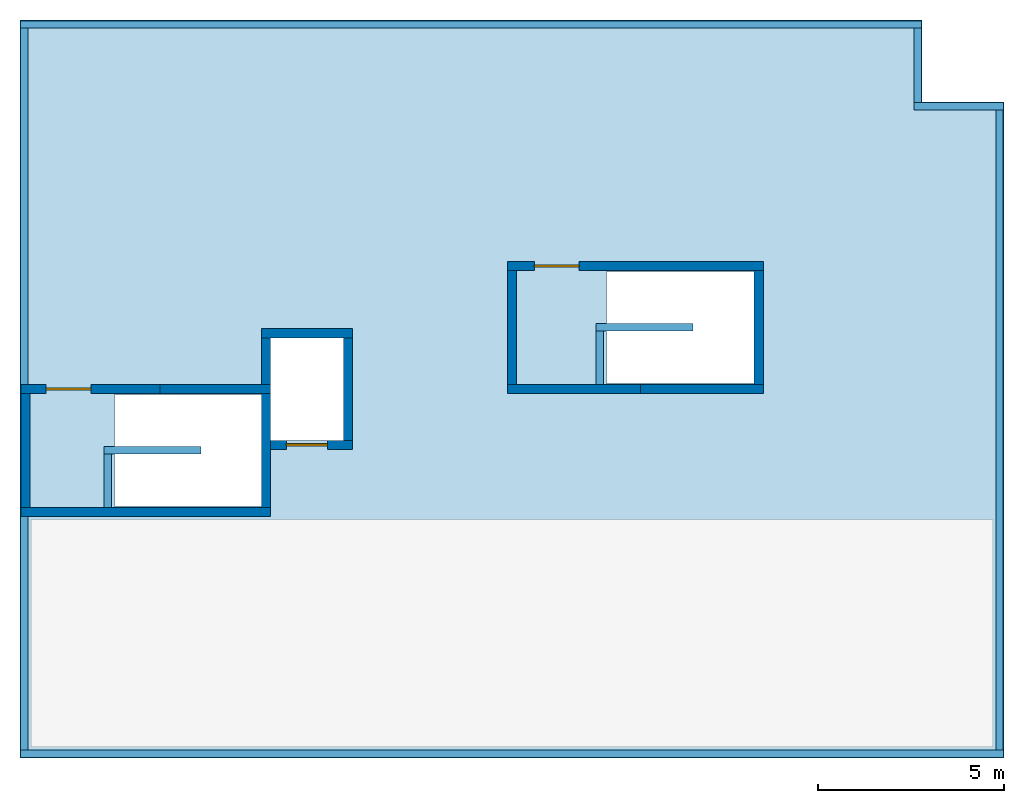
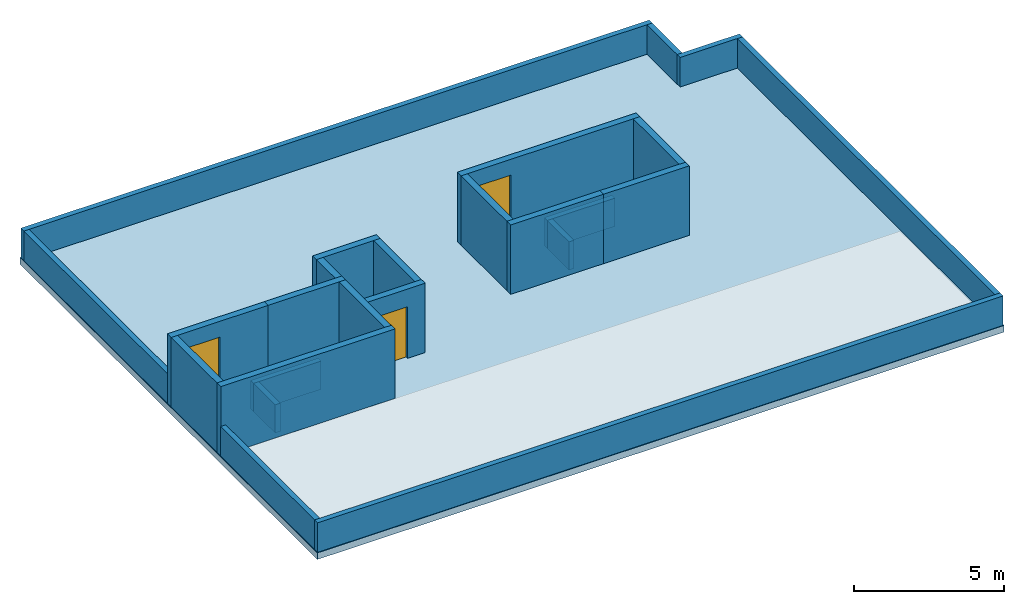
# One storey, part 1 of 2: 25 walls, 3 doors, 1 slab, 3 openings.
"""IFC4 building model written with IfcOpenShell, lengths in metres."""

import ifcopenshell
import ifcopenshell.guid

model = None  # the IFC model being written
_history = None  # IfcOwnerHistory: only IFC2X3 demands one
_inside = {}  # id of a spatial element -> (the spatial element, [elements in it])
_under = {}  # id of a project, library or spatial element -> (it, [spatial elements below it])
_declared = {}  # id of a project -> (the project, [libraries it declares])
_typed = {}  # id of a type object -> (the type object, [elements of that type])
_made_of = {}  # id of a material, layer set ... -> (it, [elements and type objects made of it])


def new_model(schema):
    """Start an empty IFC model of exactly this schema.

    Asked for "IFC4X3", IfcOpenShell would pick the latest addendum, in which some entities
    have other attributes; the version numbers below select the first issue.
    IFC2X3 requires an IfcOwnerHistory on every rooted entity: one is made here for all.
    """
    global model, _history
    if schema == "IFC4X3":
        model = ifcopenshell.file(schema_version=(4, 3, 0, 0))
    else:
        model = ifcopenshell.file(schema=schema)
    _inside.clear()
    _under.clear()
    _declared.clear()
    _typed.clear()
    _made_of.clear()
    _history = None
    if model.schema == "IFC2X3":
        org = make("IfcOrganization", Name="unknown")
        user = make(
            "IfcPersonAndOrganization",
            ThePerson=make("IfcPerson", FamilyName="unknown"),
            TheOrganization=org,
        )
        app = make(
            "IfcApplication",
            ApplicationDeveloper=org,
            Version="unknown",
            ApplicationFullName="unknown",
            ApplicationIdentifier="unknown",
        )
        _history = make(
            "IfcOwnerHistory",
            OwningUser=user,
            OwningApplication=app,
            ChangeAction="ADDED",
            CreationDate=0,
        )
    return model


def make(cls, **values):
    """One entity of the class cls with the attributes given. An attribute that is None is left unset."""
    return model.create_entity(
        cls, **{name: value for name, value in values.items() if value is not None}
    )


def rooted(cls, **values):
    """An entity with a GlobalId (a new one), such as an element, a storey or a relation."""
    return make(cls, GlobalId=ifcopenshell.guid.new(), OwnerHistory=_history, **values)


def si_unit(unit_type, name, prefix=None):
    """IfcSIUnit, for example si_unit("LENGTHUNIT", "METRE", prefix="MILLI")."""
    return make("IfcSIUnit", UnitType=unit_type, Prefix=prefix, Name=name)


def assignment(units):
    """IfcUnitAssignment: the units of a project."""
    return None if units is None else make("IfcUnitAssignment", Units=units)


def point(xyz):
    """IfcCartesianPoint."""
    return None if xyz is None else make("IfcCartesianPoint", Coordinates=xyz)


def direction(xyz):
    """IfcDirection."""
    return None if xyz is None else make("IfcDirection", DirectionRatios=xyz)


def frame(location, z_axis=None, x_axis=None):
    """IfcAxis2Placement3D, a coordinate frame: its origin and axes. An axis left out is left unset."""
    return make(
        "IfcAxis2Placement3D",
        Location=point(location),
        Axis=direction(z_axis),
        RefDirection=direction(x_axis),
    )


def frame_2d(location, x_axis=None):
    """IfcAxis2Placement2D, a coordinate frame in the plane: its origin and x axis."""
    return make(
        "IfcAxis2Placement2D", Location=point(location), RefDirection=direction(x_axis)
    )


def origin():
    """The frame at (0, 0, 0) with its axes left unset."""
    return frame((0.0, 0.0, 0.0))


def place(relative_to, where):
    """IfcLocalPlacement: puts the frame where relative to a parent placement (None: the world)."""
    return make(
        "IfcLocalPlacement", PlacementRelTo=relative_to, RelativePlacement=where
    )


def context(
    kind, dimensions, precision=None, world=None, true_north=None, identifier=None
):
    """IfcGeometricRepresentationContext, for example the 3D "Model" context."""
    return make(
        "IfcGeometricRepresentationContext",
        ContextIdentifier=identifier,
        ContextType=kind,
        CoordinateSpaceDimension=dimensions,
        Precision=precision,
        WorldCoordinateSystem=world,
        TrueNorth=true_north,
    )


def subcontext(parent, identifier, kind, view, scale=None):
    """IfcGeometricRepresentationSubContext, for example "Body" below "Model"."""
    return make(
        "IfcGeometricRepresentationSubContext",
        ContextIdentifier=identifier,
        ContextType=kind,
        ParentContext=parent,
        TargetScale=scale,
        TargetView=view,
    )


def project(units=None, contexts=None):
    """IfcProject with its units and contexts."""
    return rooted(
        "IfcProject",
        Name="project",
        RepresentationContexts=contexts,
        UnitsInContext=assignment(units),
    )


def spatial(cls, under=None, at=None, **own):
    """A site, building, storey or space (cls), placed at a placement, below another one or the project."""
    s = rooted(cls, ObjectPlacement=at, **own)
    if under is not None:
        _under.setdefault(under.id(), (under, []))[1].append(s)
    return s


def polyline(points):
    """IfcPolyline through the points."""
    return make("IfcPolyline", Points=[point(p) for p in points])


def profile(cls, at=None, kind="AREA", **sizes):
    """A parametric profile (cls). Its sizes go by their IFC names, for example OverallWidth=200.0."""
    return make(cls, ProfileType=kind, Position=at, **sizes)


def rectangle(**sizes):
    """IfcRectangleProfileDef."""
    return profile("IfcRectangleProfileDef", **sizes)


def outline(outer, holes=None, kind="AREA"):
    """IfcArbitraryClosedProfileDef: a profile drawn as a closed curve; with holes, ...WithVoids."""
    if holes is None:
        return make("IfcArbitraryClosedProfileDef", ProfileType=kind, OuterCurve=outer)
    return make(
        "IfcArbitraryProfileDefWithVoids",
        ProfileType=kind,
        OuterCurve=outer,
        InnerCurves=holes,
    )


def extrude(swept, where, along, depth):
    """IfcExtrudedAreaSolid: the profile swept, set in the frame where, extruded along a direction by depth."""
    return make(
        "IfcExtrudedAreaSolid",
        SweptArea=swept,
        Position=where,
        ExtrudedDirection=direction(along),
        Depth=depth,
    )


def shape(context_of_items, identifier, shape_type, items):
    """IfcShapeRepresentation: the items that make up one representation, for example the "Body"."""
    return make(
        "IfcShapeRepresentation",
        ContextOfItems=context_of_items,
        RepresentationIdentifier=identifier,
        RepresentationType=shape_type,
        Items=items,
    )


def material(Name=None, Category=None):
    """IfcMaterial."""
    return make("IfcMaterial", Name=Name, Category=Category)


def layer(
    of_material, thickness, ventilated=None, Name=None, Category=None, Priority=None
):
    """IfcMaterialLayer: one layer of a wall or slab, of a material (None: an air gap)."""
    return make(
        "IfcMaterialLayer",
        Material=of_material,
        LayerThickness=thickness,
        IsVentilated=ventilated,
        Name=Name,
        Category=Category,
        Priority=Priority,
    )


def layer_set(layers, Name=None):
    """IfcMaterialLayerSet."""
    return make("IfcMaterialLayerSet", MaterialLayers=layers, LayerSetName=Name)


def made_of(thing, what):
    """Note that an element or type object is made of a material, layer set ...; save() writes the relation."""
    if what is not None:
        _made_of.setdefault(what.id(), (what, []))[1].append(thing)
    return thing


def type_object(cls, material=None, **own):
    """A type object (cls), such as IfcWallType, which elements share."""
    return made_of(rooted(cls, **own), material)


def element(
    cls,
    number,
    at=None,
    inside=None,
    cuts=None,
    type_object=None,
    material=None,
    context=None,
    identifier="Body",
    shape_type=None,
    held_by="IfcProductDefinitionShape",
    body=None,
    shapes=None,
    **own,
):
    """One element of the class cls, such as IfcWall. Its Tag is "e" and its number.

    at: its placement. inside: the storey or other place that contains it. cuts: it is an
    opening in that element (IfcRelVoidsElement). A single representation is given by context,
    identifier, shape_type and body (its items); several are given by shapes. held_by: the class
    of the entity that holds the representations. save() writes the other relations.
    """
    e = rooted(cls, Tag="e%d" % number, ObjectPlacement=at, **own)
    if body is not None:
        shapes = [shape(context, identifier, shape_type, body)]
    if shapes is not None:
        e.Representation = make(held_by, Representations=shapes)
    if inside is not None:
        _inside.setdefault(inside.id(), (inside, []))[1].append(e)
    if cuts is not None:
        rooted(
            "IfcRelVoidsElement", RelatingBuildingElement=cuts, RelatedOpeningElement=e
        )
    if type_object is not None:
        _typed.setdefault(type_object.id(), (type_object, []))[1].append(e)
    return made_of(e, material)


def fill(opening, filler):
    """IfcRelFillsElement: the door or window that sits in an opening."""
    return rooted(
        "IfcRelFillsElement",
        RelatingOpeningElement=opening,
        RelatedBuildingElement=filler,
    )


def aggregate(whole, parts):
    """IfcRelAggregates: a whole, such as a stair, and the parts it consists of."""
    return rooted("IfcRelAggregates", RelatingObject=whole, RelatedObjects=parts)


def save(model, path):
    """Write the relations noted so far, then the file.

    IfcRelAggregates (storeys below a building ...), IfcRelContainedInSpatialStructure (elements
    in a storey), IfcRelDefinesByType, IfcRelAssociatesMaterial and IfcRelDeclares: one each for
    every whole, place, type object, material and project.
    """
    for whole, parts in _under.values():
        aggregate(whole, parts)
    for where, things in _inside.values():
        rooted(
            "IfcRelContainedInSpatialStructure",
            RelatedElements=things,
            RelatingStructure=where,
        )
    for kind, things in _typed.values():
        rooted("IfcRelDefinesByType", RelatedObjects=things, RelatingType=kind)
    for what, things in _made_of.values():
        rooted("IfcRelAssociatesMaterial", RelatedObjects=things, RelatingMaterial=what)
    for by, libraries in _declared.values():
        rooted("IfcRelDeclares", RelatingContext=by, RelatedDefinitions=libraries)
    model.write(path)


model = new_model("IFC4")

# Units and contexts
model_context = context("Model", 3, precision=1e-05, world=origin(), true_north=direction((0.0, 1.0)))
body_context = subcontext(model_context, "Body", "Model", "MODEL_VIEW")
ifc_project = project(units=[si_unit("LENGTHUNIT", "METRE"), si_unit("AREAUNIT", "SQUARE_METRE"), si_unit("VOLUMEUNIT", "CUBIC_METRE"), si_unit("PLANEANGLEUNIT", "RADIAN"), si_unit("MASSUNIT", "GRAM", prefix="KILO")], contexts=[model_context])

# Site, building, storey
site_placement = place(None, origin())
site = spatial("IfcSite", under=ifc_project, at=site_placement, CompositionType="ELEMENT")
building_placement = place(site_placement, origin())
building = spatial("IfcBuilding", under=site, at=building_placement, Name="Kernevlak Ridge Housing Community", CompositionType="ELEMENT")
storey_placement = place(building_placement, frame((0.0, 0.0, 59.60009765625)))
storey = spatial("IfcBuildingStorey", under=building, at=storey_placement, Name="RF", CompositionType="ELEMENT", Elevation=59.60009765625)

# Slab
ifc_material_1 = material(Name="Concrete C35/45", Category="concrete")
ifc_layer_1 = layer(ifc_material_1, 0.27001953125, Name="Concrete C35/45")
ifc_layer_set_1 = layer_set([ifc_layer_1], Name="Concrete C35/45")
slab_type = type_object("IfcSlabType", Name="SL-18", PredefinedType="ROOF", material=ifc_layer_set_1)
slab_placement = place(storey_placement, frame((0.0, 0.0, -0.27001953125)))
element("IfcSlab", 1, at=slab_placement, inside=storey, type_object=slab_type, Name="Block A main flat roof slab", PredefinedType="ROOF", context=body_context, shape_type="SweptSolid", body=[
    extrude(outline(polyline([(15.60009765625, 76.0), (42.0, 76.0), (42.0, 93.60009765625), (39.800048828125, 93.60009765625), (39.800048828125, 95.800048828125), (15.60009765625, 95.800048828125), (15.60009765625, 76.0)]), holes=[polyline([(18.139892578125, 85.75), (22.1201171875, 85.75), (22.1201171875, 82.75), (18.139892578125, 82.75), (18.139892578125, 85.75)]), polyline([(31.340087890625, 89.050048828125), (35.320068359375, 89.050048828125), (35.320068359375, 86.050048828125), (31.340087890625, 86.050048828125), (31.340087890625, 89.050048828125)]), polyline([(22.320068359375, 87.280029296875), (24.280029296875, 87.280029296875), (24.280029296875, 84.52001953125), (22.320068359375, 84.52001953125), (22.320068359375, 87.280029296875)])]), origin(), (0.0, 0.0, 1.0), 0.27001953125),
])

# Walls
ifc_layer_2 = layer(ifc_material_1, 0.199951171875, Name="Concrete C35/45")
ifc_layer_set_2 = layer_set([ifc_layer_2], Name="Concrete C35/45")
wall_type_1 = type_object("IfcWallType", Name="PR-01", PredefinedType="PARAPET", material=ifc_layer_set_2)
wall_1_placement = place(storey_placement, frame((15.6201171875, 76.1201171875, 0.0), z_axis=(0.0, 0.0, 1.0), x_axis=(1.0, 0.0, 0.0)))
element("IfcWall", 2, at=wall_1_placement, inside=storey, type_object=wall_type_1, Name="Block A roof parapet wall 1", PredefinedType="PARAPET", context=body_context, shape_type="SweptSolid", body=[
    extrude(rectangle(XDim=26.35986328125, YDim=0.199951171875, at=frame_2d((13.179931640625, 0.0))), origin(), (0.0, 0.0, 1.0), 1.199951171875),
])
wall_2_placement = place(storey_placement, frame((41.8798828125, 76.219970703125, 0.0), z_axis=(0.0, 0.0, 1.0), x_axis=(0.0, 1.0, 0.0)))
element("IfcWall", 3, at=wall_2_placement, inside=storey, type_object=wall_type_1, Name="Block A roof parapet wall 2", PredefinedType="PARAPET", context=body_context, shape_type="SweptSolid", body=[
    extrude(rectangle(XDim=17.159912109375, YDim=0.199951171875, at=frame_2d((8.580078125, 0.0))), origin(), (0.0, 0.0, 1.0), 1.199951171875),
])
wall_3_placement = place(storey_placement, frame((41.97998046875, 93.47998046875, 0.0), z_axis=(0.0, 0.0, 1.0), x_axis=(-1.0, 0.0, 0.0)))
element("IfcWall", 4, at=wall_3_placement, inside=storey, type_object=wall_type_1, Name="Block A roof parapet wall 3", PredefinedType="PARAPET", context=body_context, shape_type="SweptSolid", body=[
    extrude(rectangle(XDim=2.39990234375, YDim=0.199951171875, at=frame_2d((1.199951171875, 0.0))), origin(), (0.0, 0.0, 1.0), 1.199951171875),
])
wall_4_placement = place(storey_placement, frame((39.679931640625, 93.580078125, 0.0), z_axis=(0.0, 0.0, 1.0), x_axis=(0.0, 1.0, 0.0)))
element("IfcWall", 5, at=wall_4_placement, inside=storey, type_object=wall_type_1, Name="Block A roof parapet wall 4", PredefinedType="PARAPET", context=body_context, shape_type="SweptSolid", body=[
    extrude(rectangle(XDim=2.0, YDim=0.199951171875, at=frame_2d((1.0, 0.0))), origin(), (0.0, 0.0, 1.0), 1.199951171875),
])
wall_5_placement = place(storey_placement, frame((39.780029296875, 95.679931640625, 0.0), z_axis=(0.0, 0.0, 1.0), x_axis=(-1.0, 0.0, 0.0)))
element("IfcWall", 6, at=wall_5_placement, inside=storey, type_object=wall_type_1, Name="Block A roof parapet wall 5", PredefinedType="PARAPET", context=body_context, shape_type="SweptSolid", body=[
    extrude(rectangle(XDim=24.159912109375, YDim=0.199951171875, at=frame_2d((12.080078125, 0.0))), origin(), (0.0, 0.0, 1.0), 1.199951171875),
])
wall_6_placement = place(storey_placement, frame((15.719970703125, 95.580078125, 0.0), z_axis=(0.0, 0.0, 1.0), x_axis=(0.0, -1.0, 0.0)))
element("IfcWall", 7, at=wall_6_placement, inside=storey, type_object=wall_type_1, Name="Block A roof parapet wall 6-1", PredefinedType="PARAPET", context=body_context, shape_type="SweptSolid", body=[
    extrude(rectangle(XDim=9.55517578125, YDim=0.199951171875, at=frame_2d((4.777587890625, 0.0))), origin(), (0.0, 0.0, 1.0), 1.199951171875),
])
wall_7_placement = place(storey_placement, frame((15.719970703125, 82.47509765625, 0.0), z_axis=(0.0, 0.0, 1.0), x_axis=(0.0, -1.0, 0.0)))
element("IfcWall", 8, at=wall_7_placement, inside=storey, type_object=wall_type_1, Name="Block A roof parapet wall 6-2", PredefinedType="PARAPET", context=body_context, shape_type="SweptSolid", body=[
    extrude(rectangle(XDim=6.255126953125, YDim=0.199951171875, at=frame_2d((3.12744140625, 0.0))), origin(), (0.0, 0.0, 1.0), 1.199951171875),
])
ifc_layer_3 = layer(ifc_material_1, 0.199951171875, Name="Concrete C35/45")
ifc_layer_set_3 = layer_set([ifc_layer_3], Name="Concrete C35/45")
wall_type_2 = type_object("IfcWallType", Name="PR-05", PredefinedType="PARAPET", material=ifc_layer_set_3)
wall_8_placement = place(storey_placement, frame((17.9599609375, 82.72509765625, 0.0), z_axis=(0.0, 0.0, 1.0), x_axis=(0.0, 1.0, 0.0)))
element("IfcWall", 9, at=wall_8_placement, inside=storey, type_object=wall_type_2, Name="Block A RF stairwell parapet guard wall 1", PredefinedType="PARAPET", context=body_context, shape_type="SweptSolid", body=[
    extrude(rectangle(XDim=1.434814453125, YDim=0.199951171875, at=frame_2d((0.71728515625, 0.0))), origin(), (0.0, 0.0, 1.0), 1.14990234375),
])
wall_9_placement = place(storey_placement, frame((17.860107421875, 84.260009765625, 0.0), z_axis=(0.0, 0.0, 1.0), x_axis=(1.0, 0.0, 0.0)))
element("IfcWall", 10, at=wall_9_placement, inside=storey, type_object=wall_type_2, Name="Block A RF stairwell parapet guard wall 2", PredefinedType="PARAPET", context=body_context, shape_type="SweptSolid", body=[
    extrude(rectangle(XDim=2.599853515625, YDim=0.199951171875, at=frame_2d((1.2998046875, 0.0))), origin(), (0.0, 0.0, 1.0), 1.14990234375),
])
wall_10_placement = place(storey_placement, frame((31.159912109375, 86.02490234375, 0.0), z_axis=(0.0, 0.0, 1.0), x_axis=(0.0, 1.0, 0.0)))
element("IfcWall", 11, at=wall_10_placement, inside=storey, type_object=wall_type_2, Name="Block A RF stairwell parapet guard wall 3", PredefinedType="PARAPET", context=body_context, shape_type="SweptSolid", body=[
    extrude(rectangle(XDim=1.43505859375, YDim=0.199951171875, at=frame_2d((0.717529296875, 0.0))), origin(), (0.0, 0.0, 1.0), 1.14990234375),
])
wall_11_placement = place(storey_placement, frame((31.06005859375, 87.56005859375, 0.0), z_axis=(0.0, 0.0, 1.0), x_axis=(1.0, 0.0, 0.0)))
element("IfcWall", 12, at=wall_11_placement, inside=storey, type_object=wall_type_2, Name="Block A RF stairwell parapet guard wall 4", PredefinedType="PARAPET", context=body_context, shape_type="SweptSolid", body=[
    extrude(rectangle(XDim=2.599853515625, YDim=0.199951171875, at=frame_2d((1.2998046875, 0.0))), origin(), (0.0, 0.0, 1.0), 1.14990234375),
])
ifc_material_2 = material(Name="Concrete C40/50", Category="concrete")
ifc_layer_4 = layer(ifc_material_2, 0.25, Name="Concrete C40/50")
ifc_layer_set_4 = layer_set([ifc_layer_4], Name="Concrete C40/50")
wall_type_3 = type_object("IfcWallType", Name="SW-03", PredefinedType="SHEAR", material=ifc_layer_set_4)
wall_12_placement = place(storey_placement, frame((15.625, 82.60009765625, 0.0), z_axis=(0.0, 0.0, 1.0), x_axis=(1.0, 0.0, 0.0)))
element("IfcWall", 13, at=wall_12_placement, inside=storey, type_object=wall_type_3, Name="Shear wall SW-03 Block A RF 191", PredefinedType="SHEAR", context=body_context, shape_type="SweptSolid", body=[
    extrude(rectangle(XDim=6.699951171875, YDim=0.25, at=frame_2d((3.35009765625, 0.0))), origin(), (0.0, 0.0, 1.0), 2.81982421875),
])
wall_13_placement = place(storey_placement, frame((19.35009765625, 85.89990234375, 0.0), z_axis=(0.0, 0.0, 1.0), x_axis=(1.0, 0.0, 0.0)))
element("IfcWall", 14, at=wall_13_placement, inside=storey, type_object=wall_type_3, Name="Shear wall SW-03 Block A RF 192", PredefinedType="SHEAR", context=body_context, shape_type="SweptSolid", body=[
    extrude(rectangle(XDim=2.974853515625, YDim=0.25, at=frame_2d((1.4873046875, 0.0))), origin(), (0.0, 0.0, 1.0), 2.81982421875),
])
wall_14_placement = place(storey_placement, frame((22.199951171875, 82.72509765625, 0.0), z_axis=(0.0, 0.0, 1.0), x_axis=(0.0, 1.0, 0.0)))
element("IfcWall", 15, at=wall_14_placement, inside=storey, type_object=wall_type_3, Name="Shear wall SW-03 Block A RF 193", PredefinedType="SHEAR", context=body_context, shape_type="SweptSolid", body=[
    extrude(rectangle(XDim=3.0498046875, YDim=0.25, at=frame_2d((1.52490234375, 0.0))), origin(), (0.0, 0.0, 1.0), 2.81982421875),
])

# Wall, opening, door
wall_15_placement = place(storey_placement, frame((28.675048828125, 89.199951171875, 0.0), z_axis=(0.0, 0.0, 1.0), x_axis=(1.0, 0.0, 0.0)))
wall_15 = element("IfcWall", 16, at=wall_15_placement, inside=storey, type_object=wall_type_3, Name="Shear wall SW-03 Block A RF 194", PredefinedType="SHEAR", context=body_context, shape_type="SweptSolid", body=[
    extrude(rectangle(XDim=6.869873046875, YDim=0.25, at=frame_2d((3.43505859375, 0.0))), origin(), (0.0, 0.0, 1.0), 2.81982421875),
])
opening_1_placement = place(wall_15_placement, frame((0.72509765625, 0.0, 0.0)))
opening_1 = element("IfcOpeningElement", 17, at=opening_1_placement, cuts=wall_15, Name="Opening E833", PredefinedType="OPENING", context=body_context, shape_type="SweptSolid", body=[
    extrude(rectangle(XDim=1.199951171875, YDim=2.179931640625, at=frame_2d((0.60009765625, 1.08984375))), frame((0.0, 0.135009765625, 0.0), z_axis=(0.0, -1.0, 0.0), x_axis=(1.0, 0.0, 0.0)), (0.0, 0.0, 1.0), 0.27001953125),
])
ifc_material_3 = material(Name="Fire-rated sheet steel leaf", Category="steel")
door_type_1 = type_object("IfcDoorType", Name="DT-17", OperationType="NOTDEFINED", PredefinedType="DOOR", material=ifc_material_3)
door_1_placement = place(opening_1_placement, origin())
door_1 = element("IfcDoor", 18, at=door_1_placement, inside=storey, type_object=door_type_1, Name="Block A Stair 2 roof door E833", OperationType="SINGLE_SWING_RIGHT", OverallHeight=2.179931640625, OverallWidth=1.199951171875, PredefinedType="DOOR", context=body_context, shape_type="SweptSolid", body=[
    extrude(rectangle(XDim=1.199951171875, YDim=2.179931640625, at=frame_2d((0.60009765625, 1.08984375))), frame((0.0, 0.02490234375, 0.0), z_axis=(0.0, -1.0, 0.0), x_axis=(1.0, 0.0, 0.0)), (0.0, 0.0, 1.0), 0.050048828125),
])
fill(opening_1, door_1)

# Walls
wall_16_placement = place(storey_placement, frame((32.25, 85.89990234375, 0.0), z_axis=(0.0, 0.0, 1.0), x_axis=(1.0, 0.0, 0.0)))
element("IfcWall", 19, at=wall_16_placement, inside=storey, type_object=wall_type_3, Name="Shear wall SW-03 Block A RF 195", PredefinedType="SHEAR", context=body_context, shape_type="SweptSolid", body=[
    extrude(rectangle(XDim=3.294921875, YDim=0.25, at=frame_2d((1.6474609375, 0.0))), origin(), (0.0, 0.0, 1.0), 2.81982421875),
])
wall_17_placement = place(storey_placement, frame((28.800048828125, 86.02490234375, 0.0), z_axis=(0.0, 0.0, 1.0), x_axis=(0.0, 1.0, 0.0)))
element("IfcWall", 20, at=wall_17_placement, inside=storey, type_object=wall_type_3, Name="Shear wall SW-03 Block A RF 196", PredefinedType="SHEAR", context=body_context, shape_type="SweptSolid", body=[
    extrude(rectangle(XDim=3.050048828125, YDim=0.25, at=frame_2d((1.52490234375, 0.0))), origin(), (0.0, 0.0, 1.0), 2.81982421875),
])
wall_18_placement = place(storey_placement, frame((15.75, 82.72509765625, 0.0), z_axis=(0.0, 0.0, 1.0), x_axis=(0.0, 1.0, 0.0)))
element("IfcWall", 21, at=wall_18_placement, inside=storey, type_object=wall_type_3, Name="Shear wall SW-03 Block A RF 197", PredefinedType="SHEAR", context=body_context, shape_type="SweptSolid", body=[
    extrude(rectangle(XDim=3.0498046875, YDim=0.25, at=frame_2d((1.52490234375, 0.0))), origin(), (0.0, 0.0, 1.0), 2.81982421875),
])

# Wall, opening, door
wall_19_placement = place(storey_placement, frame((15.625, 85.89990234375, 0.0), z_axis=(0.0, 0.0, 1.0), x_axis=(1.0, 0.0, 0.0)))
wall_19 = element("IfcWall", 22, at=wall_19_placement, inside=storey, type_object=wall_type_3, Name="Shear wall SW-03 Block A RF 198", PredefinedType="SHEAR", context=body_context, shape_type="SweptSolid", body=[
    extrude(rectangle(XDim=3.72509765625, YDim=0.25, at=frame_2d((1.862548828125, 0.0))), origin(), (0.0, 0.0, 1.0), 2.81982421875),
])
opening_2_placement = place(wall_19_placement, frame((0.675048828125, 0.0, 0.0)))
opening_2 = element("IfcOpeningElement", 23, at=opening_2_placement, cuts=wall_19, Name="Opening E832", PredefinedType="OPENING", context=body_context, shape_type="SweptSolid", body=[
    extrude(rectangle(XDim=1.199951171875, YDim=2.179931640625, at=frame_2d((0.60009765625, 1.08984375))), frame((0.0, 0.135009765625, 0.0), z_axis=(0.0, -1.0, 0.0), x_axis=(1.0, 0.0, 0.0)), (0.0, 0.0, 1.0), 0.27001953125),
])
door_2_placement = place(opening_2_placement, origin())
door_2 = element("IfcDoor", 24, at=door_2_placement, inside=storey, type_object=door_type_1, Name="Block A Stair 1 roof door E832", OperationType="SINGLE_SWING_LEFT", OverallHeight=2.179931640625, OverallWidth=1.199951171875, PredefinedType="DOOR", context=body_context, shape_type="SweptSolid", body=[
    extrude(rectangle(XDim=1.199951171875, YDim=2.179931640625, at=frame_2d((0.60009765625, 1.08984375))), frame((0.0, 0.02490234375, 0.0), z_axis=(0.0, -1.0, 0.0), x_axis=(1.0, 0.0, 0.0)), (0.0, 0.0, 1.0), 0.050048828125),
])
fill(opening_2, door_2)

# Walls
wall_20_placement = place(storey_placement, frame((35.419921875, 86.02490234375, 0.0), z_axis=(0.0, 0.0, 1.0), x_axis=(0.0, 1.0, 0.0)))
element("IfcWall", 25, at=wall_20_placement, inside=storey, type_object=wall_type_3, Name="Shear wall SW-03 Block A RF 199", PredefinedType="SHEAR", context=body_context, shape_type="SweptSolid", body=[
    extrude(rectangle(XDim=3.050048828125, YDim=0.25, at=frame_2d((1.52490234375, 0.0))), origin(), (0.0, 0.0, 1.0), 2.81982421875),
])
wall_21_placement = place(storey_placement, frame((28.675048828125, 85.89990234375, 0.0), z_axis=(0.0, 0.0, 1.0), x_axis=(1.0, 0.0, 0.0)))
element("IfcWall", 26, at=wall_21_placement, inside=storey, type_object=wall_type_3, Name="Shear wall SW-03 Block A RF 200", PredefinedType="SHEAR", context=body_context, shape_type="SweptSolid", body=[
    extrude(rectangle(XDim=3.574951171875, YDim=0.25, at=frame_2d((1.78759765625, 0.0))), origin(), (0.0, 0.0, 1.0), 2.81982421875),
])

# Wall, opening, door
wall_22_placement = place(storey_placement, frame((24.52490234375, 84.39990234375, 0.0), z_axis=(0.0, 0.0, 1.0), x_axis=(-1.0, 0.0, 0.0)))
wall_22 = element("IfcWall", 27, at=wall_22_placement, inside=storey, type_object=wall_type_3, Name="Shear wall SW-03 Block A RF lift overrun 1", PredefinedType="SHEAR", context=body_context, shape_type="SweptSolid", body=[
    extrude(rectangle(XDim=2.199951171875, YDim=0.25, at=frame_2d((1.10009765625, 0.0))), origin(), (0.0, 0.0, 1.0), 2.81982421875),
])
opening_3_placement = place(wall_22_placement, frame((0.675048828125, 0.0, 0.0)))
opening_3 = element("IfcOpeningElement", 28, at=opening_3_placement, cuts=wall_22, Name="Opening LE01", PredefinedType="OPENING", context=body_context, shape_type="SweptSolid", body=[
    extrude(rectangle(XDim=1.10009765625, YDim=2.10009765625, at=frame_2d((0.550048828125, 1.050048828125))), frame((0.0, 0.135009765625, 0.0), z_axis=(0.0, -1.0, 0.0), x_axis=(1.0, 0.0, 0.0)), (0.0, 0.0, 1.0), 0.27001953125),
])
ifc_material_4 = material(Name="Stainless steel EN 1.4401", Category="steel")
door_type_2 = type_object("IfcDoorType", Name="DT-LD1", OperationType="DOUBLE_DOOR_SLIDING", PredefinedType="DOOR", material=ifc_material_4)
door_3_placement = place(opening_3_placement, origin())
door_3 = element("IfcDoor", 29, at=door_3_placement, inside=storey, type_object=door_type_2, Name="Lift LF-A1 landing door LE01", OperationType="DOUBLE_DOOR_SLIDING", OverallHeight=2.10009765625, OverallWidth=1.10009765625, PredefinedType="DOOR", context=body_context, shape_type="SweptSolid", body=[
    extrude(rectangle(XDim=1.10009765625, YDim=2.10009765625, at=frame_2d((0.550048828125, 1.050048828125))), frame((0.0, 0.02490234375, 0.0), z_axis=(0.0, -1.0, 0.0), x_axis=(1.0, 0.0, 0.0)), (0.0, 0.0, 1.0), 0.050048828125),
])
fill(opening_3, door_3)

# Walls
wall_23_placement = place(storey_placement, frame((24.39990234375, 84.52490234375, 0.0), z_axis=(0.0, 0.0, 1.0), x_axis=(0.0, 1.0, 0.0)))
element("IfcWall", 30, at=wall_23_placement, inside=storey, type_object=wall_type_3, Name="Shear wall SW-03 Block A RF lift overrun 2", PredefinedType="SHEAR", context=body_context, shape_type="SweptSolid", body=[
    extrude(rectangle(XDim=2.75, YDim=0.25, at=frame_2d((1.375, 0.0))), origin(), (0.0, 0.0, 1.0), 2.81982421875),
])
wall_24_placement = place(storey_placement, frame((24.52490234375, 87.39990234375, 0.0), z_axis=(0.0, 0.0, 1.0), x_axis=(-1.0, 0.0, 0.0)))
element("IfcWall", 31, at=wall_24_placement, inside=storey, type_object=wall_type_3, Name="Shear wall SW-03 Block A RF lift overrun 3", PredefinedType="SHEAR", context=body_context, shape_type="SweptSolid", body=[
    extrude(rectangle(XDim=2.449951171875, YDim=0.25, at=frame_2d((1.22509765625, 0.0))), origin(), (0.0, 0.0, 1.0), 2.81982421875),
])
wall_25_placement = place(storey_placement, frame((22.199951171875, 87.27490234375, 0.0), z_axis=(0.0, 0.0, 1.0), x_axis=(0.0, -1.0, 0.0)))
element("IfcWall", 32, at=wall_25_placement, inside=storey, type_object=wall_type_3, Name="Shear wall SW-03 Block A RF lift overrun 4", PredefinedType="SHEAR", context=body_context, shape_type="SweptSolid", body=[
    extrude(rectangle(XDim=1.25, YDim=0.25, at=frame_2d((0.625, 0.0))), origin(), (0.0, 0.0, 1.0), 2.81982421875),
])

save(model, "model.ifc")
